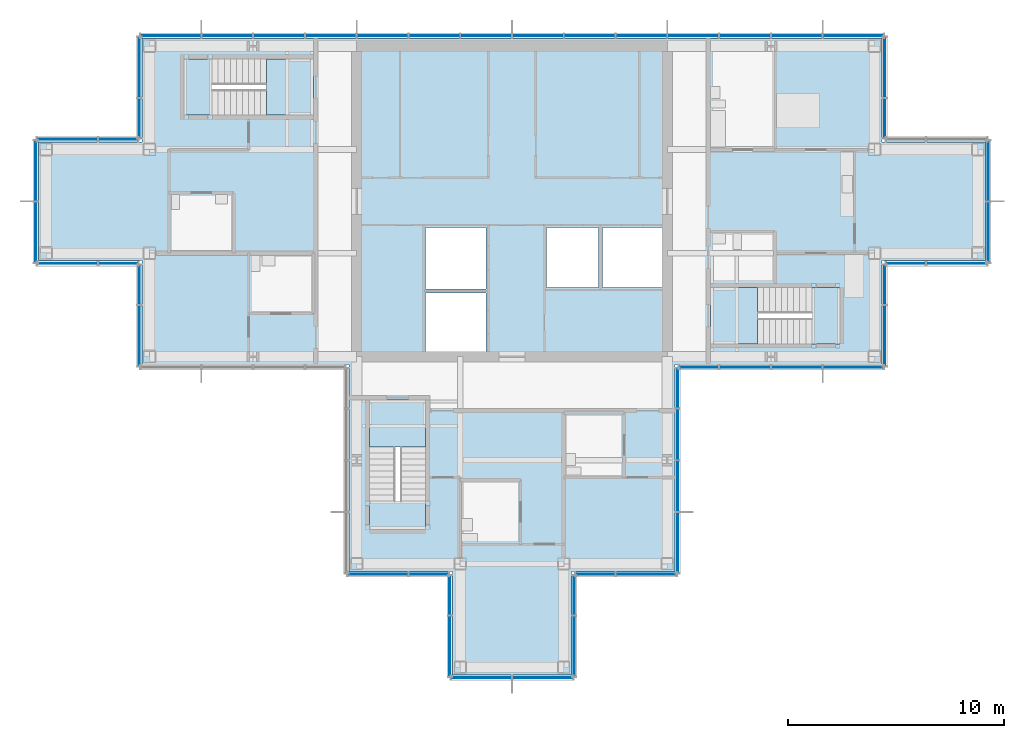
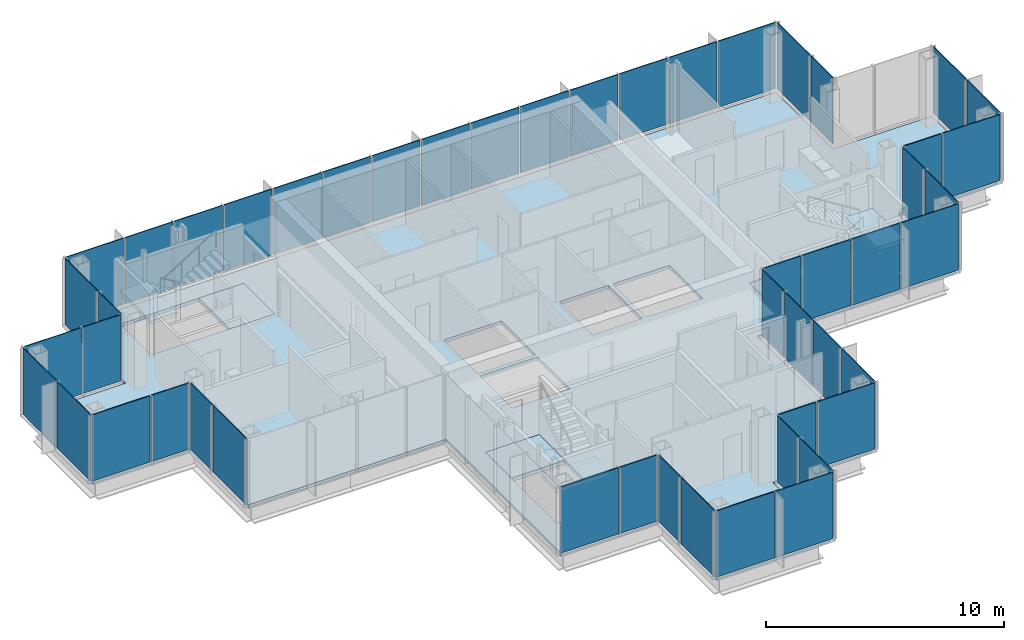
# One storey, part 9 of 15: 50 plates, 7 slabs, 20 elements without a shape of their own.
"""IFC4 building model written with IfcOpenShell, lengths in metres."""

from ifc_helpers import new_model, si_unit, direction, frame, origin, origin_2d, place, context, subcontext, project, spatial, polyline, rectangle, outline, extrude, material, layer, layer_set, type_object, element, aggregate, save


model = new_model("IFC4")

# Units and contexts
model_context = context("Model", 3, precision=1e-05, world=origin(), true_north=direction((0.0, 1.0)))
body_context = subcontext(model_context, "Body", "Model", "MODEL_VIEW")
ifc_project = project(units=[si_unit("LENGTHUNIT", "METRE"), si_unit("AREAUNIT", "SQUARE_METRE"), si_unit("VOLUMEUNIT", "CUBIC_METRE"), si_unit("PLANEANGLEUNIT", "RADIAN"), si_unit("MASSUNIT", "GRAM", prefix="KILO")], contexts=[model_context])

# Site, building, storey
site_placement = place(None, origin())
site = spatial("IfcSite", under=ifc_project, at=site_placement, CompositionType="ELEMENT")
building_placement = place(site_placement, origin())
building = spatial("IfcBuilding", under=site, at=building_placement, Name="Kvirike Care Tower", CompositionType="ELEMENT")
storey_placement = place(building_placement, frame((0.0, 0.0, 229.5)))
storey = spatial("IfcBuildingStorey", under=building, at=storey_placement, Name="L63", CompositionType="ELEMENT", Elevation=229.5)

# Slab
ifc_material_1 = material(Name="Concrete C35/45", Category="concrete")
ifc_layer_1 = layer(ifc_material_1, 0.169921875)
ifc_layer_set_1 = layer_set([ifc_layer_1], Name="FLOOR SLAB 170")
slab_type_1 = type_object("IfcSlabType", Name="FLOOR SLAB 170", PredefinedType="FLOOR", material=ifc_layer_set_1)
slab_1_placement = place(storey_placement, frame((0.0, 0.0, -0.169921875)))
element("IfcSlab", 1, at=slab_1_placement, inside=storey, type_object=slab_type_1, Name="Floor slab L63", PredefinedType="FLOOR", context=body_context, shape_type="SweptSolid", body=[
    extrude(outline(polyline([(29.14990234375, 28.449951171875), (38.75, 28.449951171875), (38.75, 33.25), (43.550048828125, 33.25), (43.550048828125, 38.75), (38.75, 38.75), (38.75, 43.550048828125), (4.449951171875, 43.550048828125), (4.449951171875, 38.75), (-0.35009765625, 38.75), (-0.35009765625, 33.25), (4.449951171875, 33.25), (4.449951171875, 28.449951171875), (14.050048828125, 28.449951171875), (14.050048828125, 18.85009765625), (18.85009765625, 18.85009765625), (18.85009765625, 14.050048828125), (24.35009765625, 14.050048828125), (24.35009765625, 18.85009765625), (29.14990234375, 18.85009765625), (29.14990234375, 28.449951171875)]), holes=[polyline([(17.60009765625, 29.050048828125), (17.60009765625, 31.75), (20.39990234375, 31.75), (20.39990234375, 29.050048828125), (17.60009765625, 29.050048828125)]), polyline([(17.60009765625, 31.949951171875), (17.60009765625, 34.800048828125), (20.39990234375, 34.800048828125), (20.39990234375, 31.949951171875), (17.60009765625, 31.949951171875)]), polyline([(23.199951171875, 32.0), (23.199951171875, 34.800048828125), (25.60009765625, 34.800048828125), (25.60009765625, 32.0), (23.199951171875, 32.0)]), polyline([(25.800048828125, 32.0), (25.800048828125, 34.800048828125), (28.550048828125, 34.800048828125), (28.550048828125, 32.0), (25.800048828125, 32.0)]), polyline([(12.39990234375, 42.60009765625), (12.39990234375, 40.0), (6.39990234375, 40.0), (6.39990234375, 42.60009765625), (12.39990234375, 42.60009765625)]), polyline([(30.800048828125, 29.39990234375), (30.800048828125, 32.0), (36.800048828125, 32.0), (36.800048828125, 29.39990234375), (30.800048828125, 29.39990234375)]), polyline([(15.0, 26.800048828125), (17.60009765625, 26.800048828125), (17.60009765625, 20.800048828125), (15.0, 20.800048828125), (15.0, 26.800048828125)])]), origin(), (0.0, 0.0, 1.0), 0.169921875),
])

# Stair, slabs
ifc_material_2 = material(Name="Concrete C35/45", Category="concrete")
stair_type = type_object("IfcStairType", Name="STAIR 20 RISERS", PredefinedType="HALF_TURN_STAIR", material=ifc_material_2)
stair_1_placement = place(storey_placement, origin())
stair_1 = element("IfcStair", 2, at=stair_1_placement, inside=storey, type_object=stair_type, Name="Stair 1 L63", PredefinedType="HALF_TURN_STAIR")
ifc_material_3 = material(Name="Concrete C35/45", Category="concrete")
ifc_layer_2 = layer(ifc_material_3, 0.199951171875)
ifc_layer_set_2 = layer_set([ifc_layer_2], Name="STAIR LANDING 200")
slab_type_2 = type_object("IfcSlabType", Name="STAIR LANDING 200", PredefinedType="LANDING", material=ifc_layer_set_2)
slab_2_placement = place(storey_placement, frame((0.0, 0.0, -0.199951171875)))
slab_2 = element("IfcSlab", 3, at=slab_2_placement, type_object=slab_type_2, Name="Stair S1 floor landing L63", PredefinedType="LANDING", context=body_context, shape_type="SweptSolid", body=[
    extrude(outline(polyline([(10.219970703125, 42.60009765625), (10.219970703125, 40.0), (12.39990234375, 40.0), (12.39990234375, 42.60009765625), (10.219970703125, 42.60009765625)])), origin(), (0.0, 0.0, 1.0), 0.199951171875),
])
slab_3_placement = place(storey_placement, frame((0.0, 0.0, 1.550048828125)))
slab_3 = element("IfcSlab", 4, at=slab_3_placement, type_object=slab_type_2, Name="Stair S1 half landing L63-L64", PredefinedType="LANDING", context=body_context, shape_type="SweptSolid", body=[
    extrude(outline(polyline([(6.39990234375, 42.60009765625), (6.39990234375, 40.0), (7.699951171875, 40.0), (7.699951171875, 42.60009765625), (6.39990234375, 42.60009765625)])), origin(), (0.0, 0.0, 1.0), 0.199951171875),
])
aggregate(stair_1, [slab_2, slab_3])

stair_2_placement = place(storey_placement, origin())
stair_2 = element("IfcStair", 5, at=stair_2_placement, inside=storey, type_object=stair_type, Name="Stair 2 L63", PredefinedType="HALF_TURN_STAIR")
slab_4_placement = place(storey_placement, frame((0.0, 0.0, -0.199951171875)))
slab_4 = element("IfcSlab", 6, at=slab_4_placement, type_object=slab_type_2, Name="Stair S2 floor landing L63", PredefinedType="LANDING", context=body_context, shape_type="SweptSolid", body=[
    extrude(outline(polyline([(32.97998046875, 29.39990234375), (32.97998046875, 32.0), (30.800048828125, 32.0), (30.800048828125, 29.39990234375), (32.97998046875, 29.39990234375)])), origin(), (0.0, 0.0, 1.0), 0.199951171875),
])
slab_5_placement = place(storey_placement, frame((0.0, 0.0, 1.550048828125)))
slab_5 = element("IfcSlab", 7, at=slab_5_placement, type_object=slab_type_2, Name="Stair S2 half landing L63-L64", PredefinedType="LANDING", context=body_context, shape_type="SweptSolid", body=[
    extrude(outline(polyline([(36.800048828125, 29.39990234375), (36.800048828125, 32.0), (35.5, 32.0), (35.5, 29.39990234375), (36.800048828125, 29.39990234375)])), origin(), (0.0, 0.0, 1.0), 0.199951171875),
])
aggregate(stair_2, [slab_4, slab_5])

stair_3_placement = place(storey_placement, origin())
stair_3 = element("IfcStair", 8, at=stair_3_placement, inside=storey, type_object=stair_type, Name="Stair 5 L63", PredefinedType="HALF_TURN_STAIR")
slab_6_placement = place(storey_placement, frame((0.0, 0.0, -0.199951171875)))
slab_6 = element("IfcSlab", 9, at=slab_6_placement, type_object=slab_type_2, Name="Stair S5 floor landing L63", PredefinedType="LANDING", context=body_context, shape_type="SweptSolid", body=[
    extrude(outline(polyline([(15.0, 24.6201171875), (17.60009765625, 24.6201171875), (17.60009765625, 26.800048828125), (15.0, 26.800048828125), (15.0, 24.6201171875)])), origin(), (0.0, 0.0, 1.0), 0.199951171875),
])
slab_7_placement = place(storey_placement, frame((0.0, 0.0, 1.550048828125)))
slab_7 = element("IfcSlab", 10, at=slab_7_placement, type_object=slab_type_2, Name="Stair S5 half landing L63-L64", PredefinedType="LANDING", context=body_context, shape_type="SweptSolid", body=[
    extrude(outline(polyline([(15.0, 20.800048828125), (17.60009765625, 20.800048828125), (17.60009765625, 22.10009765625), (15.0, 22.10009765625), (15.0, 20.800048828125)])), origin(), (0.0, 0.0, 1.0), 0.199951171875),
])
aggregate(stair_3, [slab_6, slab_7])

# Curtain wall, plates
ifc_material_4 = material(Name="Anodised aluminium stick system", Category="aluminium")
curtain_wall_type = type_object("IfcCurtainWallType", Name="CW-D STICK CURTAIN WALL", PredefinedType="NOTDEFINED", material=ifc_material_4)
curtain_wall_1_placement = place(storey_placement, origin())
curtain_wall_1 = element("IfcCurtainWall", 11, at=curtain_wall_1_placement, inside=storey, type_object=curtain_wall_type, Name="Curtain wall L63 face 1", PredefinedType="NOTDEFINED")
ifc_material_5 = material(Name="Tinted double glazed unit", Category="glass")
ifc_layer_3 = layer(ifc_material_5, 0.0439453125)
ifc_layer_set_3 = layer_set([ifc_layer_3], Name="TINTED VISION PANEL 44")
plate_type = type_object("IfcPlateType", Name="TINTED VISION PANEL 44", PredefinedType="CURTAIN_PANEL", material=ifc_layer_set_3)
plate_1_placement = place(storey_placement, frame((30.25634765625, 28.320068359375, 0.10009765625), z_axis=(0.0, 0.0, 1.0), x_axis=(1.0, 0.0, 0.0)))
plate_1 = element("IfcPlate", 12, at=plate_1_placement, type_object=plate_type, Name="CW-D panel L63 face 1.1", PredefinedType="CURTAIN_PANEL", context=body_context, shape_type="SweptSolid", body=[
    extrude(rectangle(XDim=1.822509765625, YDim=0.0439453125, at=origin_2d()), origin(), (0.0, 0.0, 1.0), 3.39990234375),
])
plate_2_placement = place(storey_placement, frame((32.39990234375, 28.320068359375, 0.10009765625), z_axis=(0.0, 0.0, 1.0), x_axis=(1.0, 0.0, 0.0)))
plate_2 = element("IfcPlate", 13, at=plate_2_placement, type_object=plate_type, Name="CW-D panel L63 face 1.2", PredefinedType="CURTAIN_PANEL", context=body_context, shape_type="SweptSolid", body=[
    extrude(rectangle(XDim=2.3349609375, YDim=0.0439453125, at=origin_2d()), origin(), (0.0, 0.0, 1.0), 3.39990234375),
])
plate_3_placement = place(storey_placement, frame((34.800048828125, 28.320068359375, 0.10009765625), z_axis=(0.0, 0.0, 1.0), x_axis=(1.0, 0.0, 0.0)))
plate_3 = element("IfcPlate", 14, at=plate_3_placement, type_object=plate_type, Name="CW-D panel L63 face 1.3", PredefinedType="CURTAIN_PANEL", context=body_context, shape_type="SweptSolid", body=[
    extrude(rectangle(XDim=2.3349609375, YDim=0.0439453125, at=origin_2d()), origin(), (0.0, 0.0, 1.0), 3.39990234375),
])
plate_4_placement = place(storey_placement, frame((37.423828125, 28.320068359375, 0.10009765625), z_axis=(0.0, 0.0, 1.0), x_axis=(1.0, 0.0, 0.0)))
plate_4 = element("IfcPlate", 15, at=plate_4_placement, type_object=plate_type, Name="CW-D panel L63 face 1.4", PredefinedType="CURTAIN_PANEL", context=body_context, shape_type="SweptSolid", body=[
    extrude(rectangle(XDim=2.782470703125, YDim=0.0439453125, at=origin_2d()), origin(), (0.0, 0.0, 1.0), 3.39990234375),
])
aggregate(curtain_wall_1, [plate_1, plate_2, plate_3, plate_4])

curtain_wall_2_placement = place(storey_placement, origin())
curtain_wall_2 = element("IfcCurtainWall", 16, at=curtain_wall_2_placement, inside=storey, type_object=curtain_wall_type, Name="Curtain wall L63 face 2", PredefinedType="NOTDEFINED")
plate_5_placement = place(storey_placement, frame((38.8798828125, 29.7763671875, 0.10009765625), z_axis=(0.0, 0.0, 1.0), x_axis=(0.0, 1.0, 0.0)))
plate_5 = element("IfcPlate", 17, at=plate_5_placement, type_object=plate_type, Name="CW-D panel L63 face 2.1", PredefinedType="CURTAIN_PANEL", context=body_context, shape_type="SweptSolid", body=[
    extrude(rectangle(XDim=2.782470703125, YDim=0.0439453125, at=origin_2d()), origin(), (0.0, 0.0, 1.0), 3.39990234375),
])
plate_6_placement = place(storey_placement, frame((38.8798828125, 32.143798828125, 0.10009765625), z_axis=(0.0, 0.0, 1.0), x_axis=(0.0, 1.0, 0.0)))
plate_6 = element("IfcPlate", 18, at=plate_6_placement, type_object=plate_type, Name="CW-D panel L63 face 2.2", PredefinedType="CURTAIN_PANEL", context=body_context, shape_type="SweptSolid", body=[
    extrude(rectangle(XDim=1.822509765625, YDim=0.0439453125, at=origin_2d()), origin(), (0.0, 0.0, 1.0), 3.39990234375),
])
aggregate(curtain_wall_2, [plate_5, plate_6])

curtain_wall_3_placement = place(storey_placement, origin())
curtain_wall_3 = element("IfcCurtainWall", 19, at=curtain_wall_3_placement, inside=storey, type_object=curtain_wall_type, Name="Curtain wall L63 face 3", PredefinedType="NOTDEFINED")
plate_7_placement = place(storey_placement, frame((39.856201171875, 33.1201171875, 0.10009765625), z_axis=(0.0, 0.0, 1.0), x_axis=(1.0, 0.0, 0.0)))
plate_7 = element("IfcPlate", 20, at=plate_7_placement, type_object=plate_type, Name="CW-D panel L63 face 3.1", PredefinedType="CURTAIN_PANEL", context=body_context, shape_type="SweptSolid", body=[
    extrude(rectangle(XDim=1.822509765625, YDim=0.0439453125, at=origin_2d()), origin(), (0.0, 0.0, 1.0), 3.39990234375),
])
plate_8_placement = place(storey_placement, frame((42.2236328125, 33.1201171875, 0.10009765625), z_axis=(0.0, 0.0, 1.0), x_axis=(1.0, 0.0, 0.0)))
plate_8 = element("IfcPlate", 21, at=plate_8_placement, type_object=plate_type, Name="CW-D panel L63 face 3.2", PredefinedType="CURTAIN_PANEL", context=body_context, shape_type="SweptSolid", body=[
    extrude(rectangle(XDim=2.782470703125, YDim=0.0439453125, at=origin_2d()), origin(), (0.0, 0.0, 1.0), 3.39990234375),
])
aggregate(curtain_wall_3, [plate_7, plate_8])

curtain_wall_4_placement = place(storey_placement, origin())
curtain_wall_4 = element("IfcCurtainWall", 22, at=curtain_wall_4_placement, inside=storey, type_object=curtain_wall_type, Name="Curtain wall L63 face 4", PredefinedType="NOTDEFINED")
plate_9_placement = place(storey_placement, frame((43.679931640625, 34.576171875, 0.10009765625), z_axis=(0.0, 0.0, 1.0), x_axis=(0.0, 1.0, 0.0)))
plate_9 = element("IfcPlate", 23, at=plate_9_placement, type_object=plate_type, Name="CW-D panel L63 face 4.1", PredefinedType="CURTAIN_PANEL", context=body_context, shape_type="SweptSolid", body=[
    extrude(rectangle(XDim=2.782470703125, YDim=0.0439453125, at=origin_2d()), origin(), (0.0, 0.0, 1.0), 3.39990234375),
])
plate_10_placement = place(storey_placement, frame((43.679931640625, 37.423828125, 0.10009765625), z_axis=(0.0, 0.0, 1.0), x_axis=(0.0, 1.0, 0.0)))
plate_10 = element("IfcPlate", 24, at=plate_10_placement, type_object=plate_type, Name="CW-D panel L63 face 4.2", PredefinedType="CURTAIN_PANEL", context=body_context, shape_type="SweptSolid", body=[
    extrude(rectangle(XDim=2.782470703125, YDim=0.0439453125, at=origin_2d()), origin(), (0.0, 0.0, 1.0), 3.39990234375),
])
aggregate(curtain_wall_4, [plate_9, plate_10])

curtain_wall_5_placement = place(storey_placement, origin())
curtain_wall_5 = element("IfcCurtainWall", 25, at=curtain_wall_5_placement, inside=storey, type_object=curtain_wall_type, Name="Curtain wall L63 face 6", PredefinedType="NOTDEFINED")
plate_11_placement = place(storey_placement, frame((38.8798828125, 39.856201171875, 0.10009765625), z_axis=(0.0, 0.0, 1.0), x_axis=(0.0, 1.0, 0.0)))
plate_11 = element("IfcPlate", 26, at=plate_11_placement, type_object=plate_type, Name="CW-D panel L63 face 6.1", PredefinedType="CURTAIN_PANEL", context=body_context, shape_type="SweptSolid", body=[
    extrude(rectangle(XDim=1.822509765625, YDim=0.0439453125, at=origin_2d()), origin(), (0.0, 0.0, 1.0), 3.39990234375),
])
plate_12_placement = place(storey_placement, frame((38.8798828125, 42.2236328125, 0.10009765625), z_axis=(0.0, 0.0, 1.0), x_axis=(0.0, 1.0, 0.0)))
plate_12 = element("IfcPlate", 27, at=plate_12_placement, type_object=plate_type, Name="CW-D panel L63 face 6.2", PredefinedType="CURTAIN_PANEL", context=body_context, shape_type="SweptSolid", body=[
    extrude(rectangle(XDim=2.782470703125, YDim=0.0439453125, at=origin_2d()), origin(), (0.0, 0.0, 1.0), 3.39990234375),
])
aggregate(curtain_wall_5, [plate_11, plate_12])

curtain_wall_6_placement = place(storey_placement, origin())
curtain_wall_6 = element("IfcCurtainWall", 28, at=curtain_wall_6_placement, inside=storey, type_object=curtain_wall_type, Name="Curtain wall L63 face 7", PredefinedType="NOTDEFINED")
plate_13_placement = place(storey_placement, frame((37.423828125, 43.679931640625, 0.10009765625), z_axis=(0.0, 0.0, 1.0), x_axis=(-1.0, 0.0, 0.0)))
plate_13 = element("IfcPlate", 29, at=plate_13_placement, type_object=plate_type, Name="CW-D panel L63 face 7.1", PredefinedType="CURTAIN_PANEL", context=body_context, shape_type="SweptSolid", body=[
    extrude(rectangle(XDim=2.782470703125, YDim=0.0439453125, at=origin_2d()), origin(), (0.0, 0.0, 1.0), 3.39990234375),
])
plate_14_placement = place(storey_placement, frame((34.800048828125, 43.679931640625, 0.10009765625), z_axis=(0.0, 0.0, 1.0), x_axis=(-1.0, 0.0, 0.0)))
plate_14 = element("IfcPlate", 30, at=plate_14_placement, type_object=plate_type, Name="CW-D panel L63 face 7.2", PredefinedType="CURTAIN_PANEL", context=body_context, shape_type="SweptSolid", body=[
    extrude(rectangle(XDim=2.3349609375, YDim=0.0439453125, at=origin_2d()), origin(), (0.0, 0.0, 1.0), 3.39990234375),
])
plate_15_placement = place(storey_placement, frame((32.39990234375, 43.679931640625, 0.10009765625), z_axis=(0.0, 0.0, 1.0), x_axis=(-1.0, 0.0, 0.0)))
plate_15 = element("IfcPlate", 31, at=plate_15_placement, type_object=plate_type, Name="CW-D panel L63 face 7.3", PredefinedType="CURTAIN_PANEL", context=body_context, shape_type="SweptSolid", body=[
    extrude(rectangle(XDim=2.3349609375, YDim=0.0439453125, at=origin_2d()), origin(), (0.0, 0.0, 1.0), 3.39990234375),
])
plate_16_placement = place(storey_placement, frame((30.0, 43.679931640625, 0.10009765625), z_axis=(0.0, 0.0, 1.0), x_axis=(-1.0, 0.0, 0.0)))
plate_16 = element("IfcPlate", 32, at=plate_16_placement, type_object=plate_type, Name="CW-D panel L63 face 7.4", PredefinedType="CURTAIN_PANEL", context=body_context, shape_type="SweptSolid", body=[
    extrude(rectangle(XDim=2.3349609375, YDim=0.0439453125, at=origin_2d()), origin(), (0.0, 0.0, 1.0), 3.39990234375),
])
plate_17_placement = place(storey_placement, frame((27.60009765625, 43.679931640625, 0.10009765625), z_axis=(0.0, 0.0, 1.0), x_axis=(-1.0, 0.0, 0.0)))
plate_17 = element("IfcPlate", 33, at=plate_17_placement, type_object=plate_type, Name="CW-D panel L63 face 7.5", PredefinedType="CURTAIN_PANEL", context=body_context, shape_type="SweptSolid", body=[
    extrude(rectangle(XDim=2.3349609375, YDim=0.0439453125, at=origin_2d()), origin(), (0.0, 0.0, 1.0), 3.39990234375),
])
plate_18_placement = place(storey_placement, frame((25.199951171875, 43.679931640625, 0.10009765625), z_axis=(0.0, 0.0, 1.0), x_axis=(-1.0, 0.0, 0.0)))
plate_18 = element("IfcPlate", 34, at=plate_18_placement, type_object=plate_type, Name="CW-D panel L63 face 7.6", PredefinedType="CURTAIN_PANEL", context=body_context, shape_type="SweptSolid", body=[
    extrude(rectangle(XDim=2.3349609375, YDim=0.0439453125, at=origin_2d()), origin(), (0.0, 0.0, 1.0), 3.39990234375),
])
plate_19_placement = place(storey_placement, frame((22.800048828125, 43.679931640625, 0.10009765625), z_axis=(0.0, 0.0, 1.0), x_axis=(-1.0, 0.0, 0.0)))
plate_19 = element("IfcPlate", 35, at=plate_19_placement, type_object=plate_type, Name="CW-D panel L63 face 7.7", PredefinedType="CURTAIN_PANEL", context=body_context, shape_type="SweptSolid", body=[
    extrude(rectangle(XDim=2.3349609375, YDim=0.0439453125, at=origin_2d()), origin(), (0.0, 0.0, 1.0), 3.39990234375),
])
plate_20_placement = place(storey_placement, frame((20.39990234375, 43.679931640625, 0.10009765625), z_axis=(0.0, 0.0, 1.0), x_axis=(-1.0, 0.0, 0.0)))
plate_20 = element("IfcPlate", 36, at=plate_20_placement, type_object=plate_type, Name="CW-D panel L63 face 7.8", PredefinedType="CURTAIN_PANEL", context=body_context, shape_type="SweptSolid", body=[
    extrude(rectangle(XDim=2.3349609375, YDim=0.0439453125, at=origin_2d()), origin(), (0.0, 0.0, 1.0), 3.39990234375),
])
plate_21_placement = place(storey_placement, frame((18.0, 43.679931640625, 0.10009765625), z_axis=(0.0, 0.0, 1.0), x_axis=(-1.0, 0.0, 0.0)))
plate_21 = element("IfcPlate", 37, at=plate_21_placement, type_object=plate_type, Name="CW-D panel L63 face 7.9", PredefinedType="CURTAIN_PANEL", context=body_context, shape_type="SweptSolid", body=[
    extrude(rectangle(XDim=2.3349609375, YDim=0.0439453125, at=origin_2d()), origin(), (0.0, 0.0, 1.0), 3.39990234375),
])
plate_22_placement = place(storey_placement, frame((15.60009765625, 43.679931640625, 0.10009765625), z_axis=(0.0, 0.0, 1.0), x_axis=(-1.0, 0.0, 0.0)))
plate_22 = element("IfcPlate", 38, at=plate_22_placement, type_object=plate_type, Name="CW-D panel L63 face 7.10", PredefinedType="CURTAIN_PANEL", context=body_context, shape_type="SweptSolid", body=[
    extrude(rectangle(XDim=2.3349609375, YDim=0.0439453125, at=origin_2d()), origin(), (0.0, 0.0, 1.0), 3.39990234375),
])
plate_23_placement = place(storey_placement, frame((13.199951171875, 43.679931640625, 0.10009765625), z_axis=(0.0, 0.0, 1.0), x_axis=(-1.0, 0.0, 0.0)))
plate_23 = element("IfcPlate", 39, at=plate_23_placement, type_object=plate_type, Name="CW-D panel L63 face 7.11", PredefinedType="CURTAIN_PANEL", context=body_context, shape_type="SweptSolid", body=[
    extrude(rectangle(XDim=2.3349609375, YDim=0.0439453125, at=origin_2d()), origin(), (0.0, 0.0, 1.0), 3.39990234375),
])
plate_24_placement = place(storey_placement, frame((10.800048828125, 43.679931640625, 0.10009765625), z_axis=(0.0, 0.0, 1.0), x_axis=(-1.0, 0.0, 0.0)))
plate_24 = element("IfcPlate", 40, at=plate_24_placement, type_object=plate_type, Name="CW-D panel L63 face 7.12", PredefinedType="CURTAIN_PANEL", context=body_context, shape_type="SweptSolid", body=[
    extrude(rectangle(XDim=2.3349609375, YDim=0.0439453125, at=origin_2d()), origin(), (0.0, 0.0, 1.0), 3.39990234375),
])
plate_25_placement = place(storey_placement, frame((8.39990234375, 43.679931640625, 0.10009765625), z_axis=(0.0, 0.0, 1.0), x_axis=(-1.0, 0.0, 0.0)))
plate_25 = element("IfcPlate", 41, at=plate_25_placement, type_object=plate_type, Name="CW-D panel L63 face 7.13", PredefinedType="CURTAIN_PANEL", context=body_context, shape_type="SweptSolid", body=[
    extrude(rectangle(XDim=2.3349609375, YDim=0.0439453125, at=origin_2d()), origin(), (0.0, 0.0, 1.0), 3.39990234375),
])
plate_26_placement = place(storey_placement, frame((5.7763671875, 43.679931640625, 0.10009765625), z_axis=(0.0, 0.0, 1.0), x_axis=(-1.0, 0.0, 0.0)))
plate_26 = element("IfcPlate", 42, at=plate_26_placement, type_object=plate_type, Name="CW-D panel L63 face 7.14", PredefinedType="CURTAIN_PANEL", context=body_context, shape_type="SweptSolid", body=[
    extrude(rectangle(XDim=2.782470703125, YDim=0.0439453125, at=origin_2d()), origin(), (0.0, 0.0, 1.0), 3.39990234375),
])
aggregate(curtain_wall_6, [plate_13, plate_14, plate_15, plate_16, plate_17, plate_18, plate_19, plate_20, plate_21, plate_22, plate_23, plate_24, plate_25, plate_26])

curtain_wall_7_placement = place(storey_placement, origin())
curtain_wall_7 = element("IfcCurtainWall", 43, at=curtain_wall_7_placement, inside=storey, type_object=curtain_wall_type, Name="Curtain wall L63 face 8", PredefinedType="NOTDEFINED")
plate_27_placement = place(storey_placement, frame((4.320068359375, 42.2236328125, 0.10009765625), z_axis=(0.0, 0.0, 1.0), x_axis=(0.0, -1.0, 0.0)))
plate_27 = element("IfcPlate", 44, at=plate_27_placement, type_object=plate_type, Name="CW-D panel L63 face 8.1", PredefinedType="CURTAIN_PANEL", context=body_context, shape_type="SweptSolid", body=[
    extrude(rectangle(XDim=2.782470703125, YDim=0.0439453125, at=origin_2d()), origin(), (0.0, 0.0, 1.0), 3.39990234375),
])
plate_28_placement = place(storey_placement, frame((4.320068359375, 39.856201171875, 0.10009765625), z_axis=(0.0, 0.0, 1.0), x_axis=(0.0, -1.0, 0.0)))
plate_28 = element("IfcPlate", 45, at=plate_28_placement, type_object=plate_type, Name="CW-D panel L63 face 8.2", PredefinedType="CURTAIN_PANEL", context=body_context, shape_type="SweptSolid", body=[
    extrude(rectangle(XDim=1.822509765625, YDim=0.0439453125, at=origin_2d()), origin(), (0.0, 0.0, 1.0), 3.39990234375),
])
aggregate(curtain_wall_7, [plate_27, plate_28])

curtain_wall_8_placement = place(storey_placement, origin())
curtain_wall_8 = element("IfcCurtainWall", 46, at=curtain_wall_8_placement, inside=storey, type_object=curtain_wall_type, Name="Curtain wall L63 face 9", PredefinedType="NOTDEFINED")
plate_29_placement = place(storey_placement, frame((3.34375, 38.8798828125, 0.10009765625), z_axis=(0.0, 0.0, 1.0), x_axis=(-1.0, 0.0, 0.0)))
plate_29 = element("IfcPlate", 47, at=plate_29_placement, type_object=plate_type, Name="CW-D panel L63 face 9.1", PredefinedType="CURTAIN_PANEL", context=body_context, shape_type="SweptSolid", body=[
    extrude(rectangle(XDim=1.822509765625, YDim=0.0439453125, at=origin_2d()), origin(), (0.0, 0.0, 1.0), 3.39990234375),
])
plate_30_placement = place(storey_placement, frame((0.976318359375, 38.8798828125, 0.10009765625), z_axis=(0.0, 0.0, 1.0), x_axis=(-1.0, 0.0, 0.0)))
plate_30 = element("IfcPlate", 48, at=plate_30_placement, type_object=plate_type, Name="CW-D panel L63 face 9.2", PredefinedType="CURTAIN_PANEL", context=body_context, shape_type="SweptSolid", body=[
    extrude(rectangle(XDim=2.782470703125, YDim=0.0439453125, at=origin_2d()), origin(), (0.0, 0.0, 1.0), 3.39990234375),
])
aggregate(curtain_wall_8, [plate_29, plate_30])

curtain_wall_9_placement = place(storey_placement, origin())
curtain_wall_9 = element("IfcCurtainWall", 49, at=curtain_wall_9_placement, inside=storey, type_object=curtain_wall_type, Name="Curtain wall L63 face 10", PredefinedType="NOTDEFINED")
plate_31_placement = place(storey_placement, frame((-0.47998046875, 37.423828125, 0.10009765625), z_axis=(0.0, 0.0, 1.0), x_axis=(0.0, -1.0, 0.0)))
plate_31 = element("IfcPlate", 50, at=plate_31_placement, type_object=plate_type, Name="CW-D panel L63 face 10.1", PredefinedType="CURTAIN_PANEL", context=body_context, shape_type="SweptSolid", body=[
    extrude(rectangle(XDim=2.782470703125, YDim=0.0439453125, at=origin_2d()), origin(), (0.0, 0.0, 1.0), 3.39990234375),
])
plate_32_placement = place(storey_placement, frame((-0.47998046875, 34.576171875, 0.10009765625), z_axis=(0.0, 0.0, 1.0), x_axis=(0.0, -1.0, 0.0)))
plate_32 = element("IfcPlate", 51, at=plate_32_placement, type_object=plate_type, Name="CW-D panel L63 face 10.2", PredefinedType="CURTAIN_PANEL", context=body_context, shape_type="SweptSolid", body=[
    extrude(rectangle(XDim=2.782470703125, YDim=0.0439453125, at=origin_2d()), origin(), (0.0, 0.0, 1.0), 3.39990234375),
])
aggregate(curtain_wall_9, [plate_31, plate_32])

curtain_wall_10_placement = place(storey_placement, origin())
curtain_wall_10 = element("IfcCurtainWall", 52, at=curtain_wall_10_placement, inside=storey, type_object=curtain_wall_type, Name="Curtain wall L63 face 11", PredefinedType="NOTDEFINED")
plate_33_placement = place(storey_placement, frame((0.976318359375, 33.1201171875, 0.10009765625), z_axis=(0.0, 0.0, 1.0), x_axis=(1.0, 0.0, 0.0)))
plate_33 = element("IfcPlate", 53, at=plate_33_placement, type_object=plate_type, Name="CW-D panel L63 face 11.1", PredefinedType="CURTAIN_PANEL", context=body_context, shape_type="SweptSolid", body=[
    extrude(rectangle(XDim=2.782470703125, YDim=0.0439453125, at=origin_2d()), origin(), (0.0, 0.0, 1.0), 3.39990234375),
])
plate_34_placement = place(storey_placement, frame((3.34375, 33.1201171875, 0.10009765625), z_axis=(0.0, 0.0, 1.0), x_axis=(1.0, 0.0, 0.0)))
plate_34 = element("IfcPlate", 54, at=plate_34_placement, type_object=plate_type, Name="CW-D panel L63 face 11.2", PredefinedType="CURTAIN_PANEL", context=body_context, shape_type="SweptSolid", body=[
    extrude(rectangle(XDim=1.822509765625, YDim=0.0439453125, at=origin_2d()), origin(), (0.0, 0.0, 1.0), 3.39990234375),
])
aggregate(curtain_wall_10, [plate_33, plate_34])

curtain_wall_11_placement = place(storey_placement, origin())
curtain_wall_11 = element("IfcCurtainWall", 55, at=curtain_wall_11_placement, inside=storey, type_object=curtain_wall_type, Name="Curtain wall L63 face 12", PredefinedType="NOTDEFINED")
plate_35_placement = place(storey_placement, frame((4.320068359375, 32.143798828125, 0.10009765625), z_axis=(0.0, 0.0, 1.0), x_axis=(0.0, -1.0, 0.0)))
plate_35 = element("IfcPlate", 56, at=plate_35_placement, type_object=plate_type, Name="CW-D panel L63 face 12.1", PredefinedType="CURTAIN_PANEL", context=body_context, shape_type="SweptSolid", body=[
    extrude(rectangle(XDim=1.822509765625, YDim=0.0439453125, at=origin_2d()), origin(), (0.0, 0.0, 1.0), 3.39990234375),
])
plate_36_placement = place(storey_placement, frame((4.320068359375, 29.7763671875, 0.10009765625), z_axis=(0.0, 0.0, 1.0), x_axis=(0.0, -1.0, 0.0)))
plate_36 = element("IfcPlate", 57, at=plate_36_placement, type_object=plate_type, Name="CW-D panel L63 face 12.2", PredefinedType="CURTAIN_PANEL", context=body_context, shape_type="SweptSolid", body=[
    extrude(rectangle(XDim=2.782470703125, YDim=0.0439453125, at=origin_2d()), origin(), (0.0, 0.0, 1.0), 3.39990234375),
])
aggregate(curtain_wall_11, [plate_35, plate_36])

curtain_wall_12_placement = place(storey_placement, origin())
curtain_wall_12 = element("IfcCurtainWall", 58, at=curtain_wall_12_placement, inside=storey, type_object=curtain_wall_type, Name="Curtain wall L63 face 15", PredefinedType="NOTDEFINED")
plate_37_placement = place(storey_placement, frame((15.376220703125, 18.719970703125, 0.10009765625), z_axis=(0.0, 0.0, 1.0), x_axis=(1.0, 0.0, 0.0)))
plate_37 = element("IfcPlate", 59, at=plate_37_placement, type_object=plate_type, Name="CW-D panel L63 face 15.1", PredefinedType="CURTAIN_PANEL", context=body_context, shape_type="SweptSolid", body=[
    extrude(rectangle(XDim=2.782470703125, YDim=0.0439453125, at=origin_2d()), origin(), (0.0, 0.0, 1.0), 3.39990234375),
])
plate_38_placement = place(storey_placement, frame((17.74365234375, 18.719970703125, 0.10009765625), z_axis=(0.0, 0.0, 1.0), x_axis=(1.0, 0.0, 0.0)))
plate_38 = element("IfcPlate", 60, at=plate_38_placement, type_object=plate_type, Name="CW-D panel L63 face 15.2", PredefinedType="CURTAIN_PANEL", context=body_context, shape_type="SweptSolid", body=[
    extrude(rectangle(XDim=1.822509765625, YDim=0.0439453125, at=origin_2d()), origin(), (0.0, 0.0, 1.0), 3.39990234375),
])
aggregate(curtain_wall_12, [plate_37, plate_38])

curtain_wall_13_placement = place(storey_placement, origin())
curtain_wall_13 = element("IfcCurtainWall", 61, at=curtain_wall_13_placement, inside=storey, type_object=curtain_wall_type, Name="Curtain wall L63 face 16", PredefinedType="NOTDEFINED")
plate_39_placement = place(storey_placement, frame((18.719970703125, 17.74365234375, 0.10009765625), z_axis=(0.0, 0.0, 1.0), x_axis=(0.0, -1.0, 0.0)))
plate_39 = element("IfcPlate", 62, at=plate_39_placement, type_object=plate_type, Name="CW-D panel L63 face 16.1", PredefinedType="CURTAIN_PANEL", context=body_context, shape_type="SweptSolid", body=[
    extrude(rectangle(XDim=1.822509765625, YDim=0.0439453125, at=origin_2d()), origin(), (0.0, 0.0, 1.0), 3.39990234375),
])
plate_40_placement = place(storey_placement, frame((18.719970703125, 15.376220703125, 0.10009765625), z_axis=(0.0, 0.0, 1.0), x_axis=(0.0, -1.0, 0.0)))
plate_40 = element("IfcPlate", 63, at=plate_40_placement, type_object=plate_type, Name="CW-D panel L63 face 16.2", PredefinedType="CURTAIN_PANEL", context=body_context, shape_type="SweptSolid", body=[
    extrude(rectangle(XDim=2.782470703125, YDim=0.0439453125, at=origin_2d()), origin(), (0.0, 0.0, 1.0), 3.39990234375),
])
aggregate(curtain_wall_13, [plate_39, plate_40])

curtain_wall_14_placement = place(storey_placement, origin())
curtain_wall_14 = element("IfcCurtainWall", 64, at=curtain_wall_14_placement, inside=storey, type_object=curtain_wall_type, Name="Curtain wall L63 face 17", PredefinedType="NOTDEFINED")
plate_41_placement = place(storey_placement, frame((20.17626953125, 13.919921875, 0.10009765625), z_axis=(0.0, 0.0, 1.0), x_axis=(1.0, 0.0, 0.0)))
plate_41 = element("IfcPlate", 65, at=plate_41_placement, type_object=plate_type, Name="CW-D panel L63 face 17.1", PredefinedType="CURTAIN_PANEL", context=body_context, shape_type="SweptSolid", body=[
    extrude(rectangle(XDim=2.782470703125, YDim=0.0439453125, at=origin_2d()), origin(), (0.0, 0.0, 1.0), 3.39990234375),
])
plate_42_placement = place(storey_placement, frame((23.023681640625, 13.919921875, 0.10009765625), z_axis=(0.0, 0.0, 1.0), x_axis=(1.0, 0.0, 0.0)))
plate_42 = element("IfcPlate", 66, at=plate_42_placement, type_object=plate_type, Name="CW-D panel L63 face 17.2", PredefinedType="CURTAIN_PANEL", context=body_context, shape_type="SweptSolid", body=[
    extrude(rectangle(XDim=2.782470703125, YDim=0.0439453125, at=origin_2d()), origin(), (0.0, 0.0, 1.0), 3.39990234375),
])
aggregate(curtain_wall_14, [plate_41, plate_42])

curtain_wall_15_placement = place(storey_placement, origin())
curtain_wall_15 = element("IfcCurtainWall", 67, at=curtain_wall_15_placement, inside=storey, type_object=curtain_wall_type, Name="Curtain wall L63 face 18", PredefinedType="NOTDEFINED")
plate_43_placement = place(storey_placement, frame((24.47998046875, 15.376220703125, 0.10009765625), z_axis=(0.0, 0.0, 1.0), x_axis=(0.0, 1.0, 0.0)))
plate_43 = element("IfcPlate", 68, at=plate_43_placement, type_object=plate_type, Name="CW-D panel L63 face 18.1", PredefinedType="CURTAIN_PANEL", context=body_context, shape_type="SweptSolid", body=[
    extrude(rectangle(XDim=2.782470703125, YDim=0.0439453125, at=origin_2d()), origin(), (0.0, 0.0, 1.0), 3.39990234375),
])
plate_44_placement = place(storey_placement, frame((24.47998046875, 17.74365234375, 0.10009765625), z_axis=(0.0, 0.0, 1.0), x_axis=(0.0, 1.0, 0.0)))
plate_44 = element("IfcPlate", 69, at=plate_44_placement, type_object=plate_type, Name="CW-D panel L63 face 18.2", PredefinedType="CURTAIN_PANEL", context=body_context, shape_type="SweptSolid", body=[
    extrude(rectangle(XDim=1.822509765625, YDim=0.0439453125, at=origin_2d()), origin(), (0.0, 0.0, 1.0), 3.39990234375),
])
aggregate(curtain_wall_15, [plate_43, plate_44])

curtain_wall_16_placement = place(storey_placement, origin())
curtain_wall_16 = element("IfcCurtainWall", 70, at=curtain_wall_16_placement, inside=storey, type_object=curtain_wall_type, Name="Curtain wall L63 face 19", PredefinedType="NOTDEFINED")
plate_45_placement = place(storey_placement, frame((25.456298828125, 18.719970703125, 0.10009765625), z_axis=(0.0, 0.0, 1.0), x_axis=(1.0, 0.0, 0.0)))
plate_45 = element("IfcPlate", 71, at=plate_45_placement, type_object=plate_type, Name="CW-D panel L63 face 19.1", PredefinedType="CURTAIN_PANEL", context=body_context, shape_type="SweptSolid", body=[
    extrude(rectangle(XDim=1.822509765625, YDim=0.0439453125, at=origin_2d()), origin(), (0.0, 0.0, 1.0), 3.39990234375),
])
plate_46_placement = place(storey_placement, frame((27.82373046875, 18.719970703125, 0.10009765625), z_axis=(0.0, 0.0, 1.0), x_axis=(1.0, 0.0, 0.0)))
plate_46 = element("IfcPlate", 72, at=plate_46_placement, type_object=plate_type, Name="CW-D panel L63 face 19.2", PredefinedType="CURTAIN_PANEL", context=body_context, shape_type="SweptSolid", body=[
    extrude(rectangle(XDim=2.782470703125, YDim=0.0439453125, at=origin_2d()), origin(), (0.0, 0.0, 1.0), 3.39990234375),
])
aggregate(curtain_wall_16, [plate_45, plate_46])

curtain_wall_17_placement = place(storey_placement, origin())
curtain_wall_17 = element("IfcCurtainWall", 73, at=curtain_wall_17_placement, inside=storey, type_object=curtain_wall_type, Name="Curtain wall L63 face 20", PredefinedType="NOTDEFINED")
plate_47_placement = place(storey_placement, frame((29.280029296875, 20.17626953125, 0.10009765625), z_axis=(0.0, 0.0, 1.0), x_axis=(0.0, 1.0, 0.0)))
plate_47 = element("IfcPlate", 74, at=plate_47_placement, type_object=plate_type, Name="CW-D panel L63 face 20.1", PredefinedType="CURTAIN_PANEL", context=body_context, shape_type="SweptSolid", body=[
    extrude(rectangle(XDim=2.782470703125, YDim=0.0439453125, at=origin_2d()), origin(), (0.0, 0.0, 1.0), 3.39990234375),
])
plate_48_placement = place(storey_placement, frame((29.280029296875, 22.800048828125, 0.10009765625), z_axis=(0.0, 0.0, 1.0), x_axis=(0.0, 1.0, 0.0)))
plate_48 = element("IfcPlate", 75, at=plate_48_placement, type_object=plate_type, Name="CW-D panel L63 face 20.2", PredefinedType="CURTAIN_PANEL", context=body_context, shape_type="SweptSolid", body=[
    extrude(rectangle(XDim=2.3349609375, YDim=0.0439453125, at=origin_2d()), origin(), (0.0, 0.0, 1.0), 3.39990234375),
])
plate_49_placement = place(storey_placement, frame((29.280029296875, 25.199951171875, 0.10009765625), z_axis=(0.0, 0.0, 1.0), x_axis=(0.0, 1.0, 0.0)))
plate_49 = element("IfcPlate", 76, at=plate_49_placement, type_object=plate_type, Name="CW-D panel L63 face 20.3", PredefinedType="CURTAIN_PANEL", context=body_context, shape_type="SweptSolid", body=[
    extrude(rectangle(XDim=2.3349609375, YDim=0.0439453125, at=origin_2d()), origin(), (0.0, 0.0, 1.0), 3.39990234375),
])
plate_50_placement = place(storey_placement, frame((29.280029296875, 27.34375, 0.10009765625), z_axis=(0.0, 0.0, 1.0), x_axis=(0.0, 1.0, 0.0)))
plate_50 = element("IfcPlate", 77, at=plate_50_placement, type_object=plate_type, Name="CW-D panel L63 face 20.4", PredefinedType="CURTAIN_PANEL", context=body_context, shape_type="SweptSolid", body=[
    extrude(rectangle(XDim=1.822509765625, YDim=0.0439453125, at=origin_2d()), origin(), (0.0, 0.0, 1.0), 3.39990234375),
])
aggregate(curtain_wall_17, [plate_47, plate_48, plate_49, plate_50])

save(model, "model.ifc")
